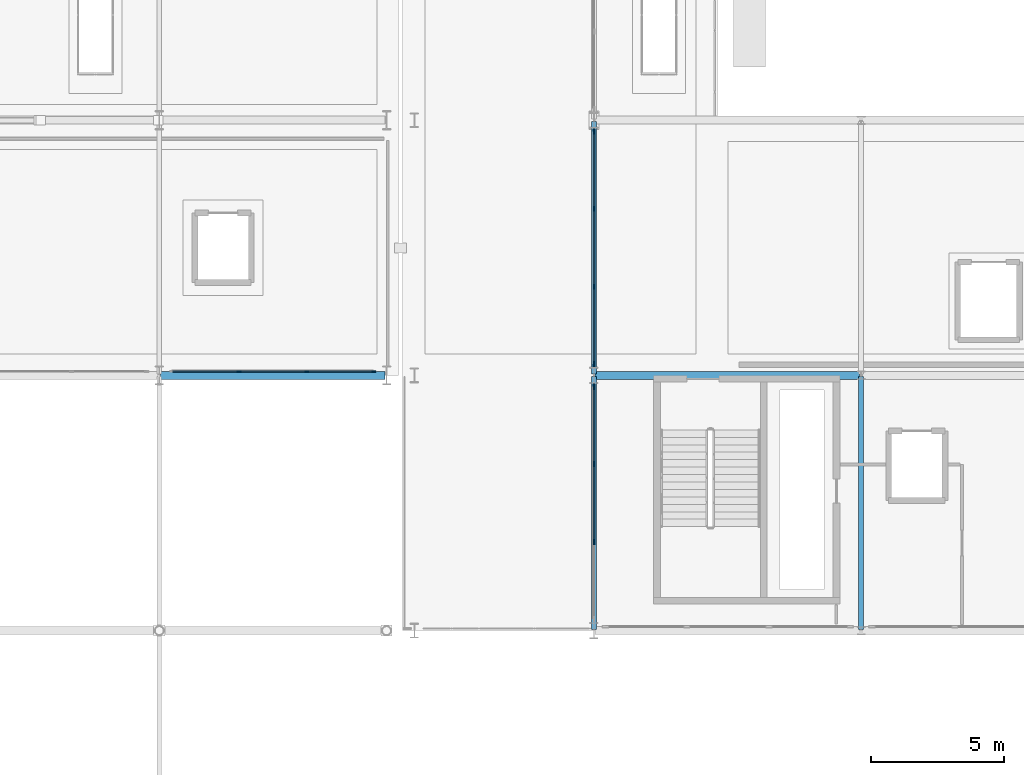
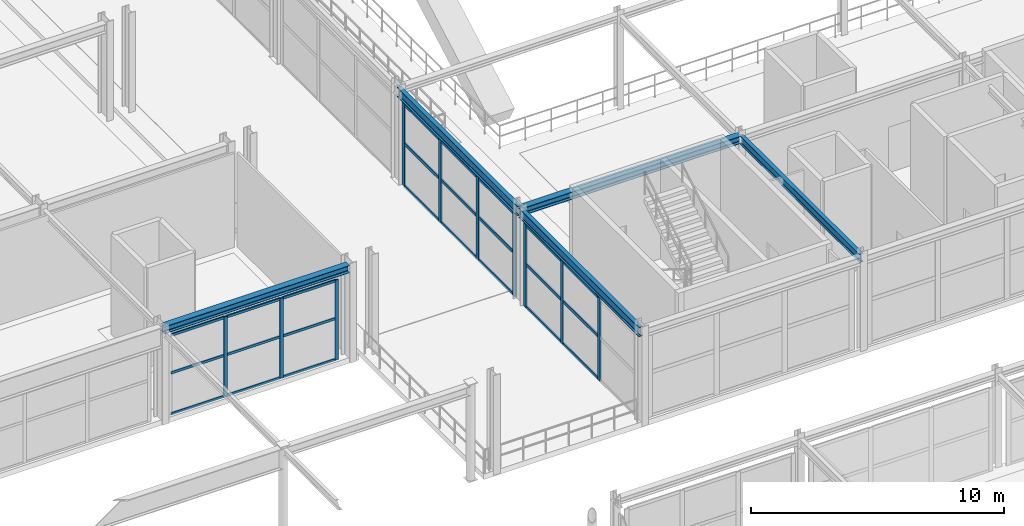
# One storey, part 36 of 125: 34 members, 5 beams, 3 elements without a shape of their own.
"""IFC4 building model written with IfcOpenShell, lengths in metres."""

from ifc_helpers import new_model, si_unit, direction, frame, origin, origin_2d, place, context, subcontext, project, spatial, rectangle, i_section, extrude, material, layer, layer_set, material_profile, profile_set, type_object, element, aggregate, save


model = new_model("IFC4")

# Units and contexts
model_context = context("Model", 3, precision=1e-05, world=origin(), true_north=direction((0.0, 1.0)))
body_context = subcontext(model_context, "Body", "Model", "MODEL_VIEW")
ifc_project = project(units=[si_unit("LENGTHUNIT", "METRE"), si_unit("AREAUNIT", "SQUARE_METRE"), si_unit("VOLUMEUNIT", "CUBIC_METRE"), si_unit("PLANEANGLEUNIT", "RADIAN"), si_unit("MASSUNIT", "GRAM", prefix="KILO")], contexts=[model_context])

# Site, building, storey
site_placement = place(None, origin())
site = spatial("IfcSite", under=ifc_project, at=site_placement, CompositionType="ELEMENT")
building_placement = place(site_placement, origin())
building = spatial("IfcBuilding", under=site, at=building_placement, Name="Myrtia Square Station", CompositionType="ELEMENT")
storey_placement = place(building_placement, frame((0.0, 0.0, 6.0)))
storey = spatial("IfcBuildingStorey", under=building, at=storey_placement, Name="L01", CompositionType="ELEMENT", Elevation=6.0)

# Beams
ifc_material_1 = material(Name="Steel S355", Category="steel")
ifc_material_profile_1 = material_profile(ifc_material_1, i_section(OverallWidth=0.300048828125, OverallDepth=0.35009765625, WebThickness=0.010009765625, FlangeThickness=0.017578125, FilletRadius=0.027099609375, at=origin_2d()), Name="HEA 360")
ifc_profile_set_1 = profile_set([ifc_material_profile_1], Name="Steel S355")
beam_type_1 = type_object("IfcBeamType", Name="BM-HEA360", PredefinedType="BEAM", material=ifc_profile_set_1)
beam_1_placement = place(storey_placement, frame((63.050048828125, 38.39990234375, 4.3798828125), z_axis=(1.0, 0.0, 0.0), x_axis=(0.0, 1.0, 0.0)))
element("IfcBeam", 1, at=beam_1_placement, inside=storey, type_object=beam_type_1, Name="Structural girder BMX-L01-0467", PredefinedType="BEAM", context=body_context, shape_type="SweptSolid", body=[
    extrude(i_section(OverallWidth=0.300048828125, OverallDepth=0.35009765625, WebThickness=0.010009765625, FlangeThickness=0.017578125, FilletRadius=0.027099609375, at=origin_2d()), origin(), (0.0, 0.0, 1.0), 8.449951171875),
])
ifc_material_profile_2 = material_profile(ifc_material_1, i_section(OverallWidth=0.300048828125, OverallDepth=0.360107421875, WebThickness=0.012451171875, FlangeThickness=0.0224609375, FilletRadius=0.027099609375, at=origin_2d()), Name="HEB 360")
ifc_profile_set_2 = profile_set([ifc_material_profile_2], Name="Steel S355")
beam_type_2 = type_object("IfcBeamType", Name="BM-HEB360", PredefinedType="BEAM", material=ifc_profile_set_2)
beam_2_placement = place(storey_placement, frame((79.39990234375, 38.39990234375, 4.3701171875), z_axis=(1.0, 0.0, 0.0), x_axis=(0.0, 1.0, 0.0)))
element("IfcBeam", 2, at=beam_2_placement, inside=storey, type_object=beam_type_2, Name="Structural girder BMX-L01-0537", PredefinedType="BEAM", context=body_context, shape_type="SweptSolid", body=[
    extrude(i_section(OverallWidth=0.300048828125, OverallDepth=0.360107421875, WebThickness=0.012451171875, FlangeThickness=0.0224609375, FilletRadius=0.027099609375, at=origin_2d()), origin(), (0.0, 0.0, 1.0), 9.9501953125),
])
ifc_material_profile_3 = material_profile(ifc_material_1, i_section(OverallWidth=0.179931640625, OverallDepth=0.39990234375, WebThickness=0.008544921875, FlangeThickness=0.013427734375, FilletRadius=0.02099609375, at=origin_2d()), Name="IPE 400")
ifc_profile_set_3 = profile_set([ifc_material_profile_3], Name="Steel S355")
beam_type_3 = type_object("IfcBeamType", Name="BM-IPE400", PredefinedType="BEAM", material=ifc_profile_set_3)
beam_3_placement = place(storey_placement, frame((89.39990234375, 28.85009765625, 4.35009765625), z_axis=(0.0, 1.0, 0.0), x_axis=(-1.0, 0.0, 0.0)))
element("IfcBeam", 3, at=beam_3_placement, inside=storey, type_object=beam_type_3, Name="Structural girder BMY-L01-0559", PredefinedType="BEAM", context=body_context, shape_type="SweptSolid", body=[
    extrude(i_section(OverallWidth=0.179931640625, OverallDepth=0.39990234375, WebThickness=0.008544921875, FlangeThickness=0.013427734375, FilletRadius=0.02099609375, at=origin_2d()), origin(), (0.0, 0.0, 1.0), 9.5),
])
ifc_material_profile_4 = material_profile(ifc_material_1, i_section(OverallWidth=0.18994140625, OverallDepth=0.449951171875, WebThickness=0.009521484375, FlangeThickness=0.0146484375, FilletRadius=0.02099609375, at=origin_2d()), Name="IPE 450")
ifc_profile_set_4 = profile_set([ifc_material_profile_4], Name="Steel S355")
beam_type_4 = type_object("IfcBeamType", Name="BM-IPE450", PredefinedType="BEAM", material=ifc_profile_set_4)
for number, where, z_axis, x_axis, name in (
    (4, (79.35009765625, 28.85009765625, 4.324951171875), (0.0, 1.0, 0.0), (-1.0, 0.0, 0.0), "Structural girder BMY-L01-0552"),
    (5, (79.35009765625, 38.449951171875, 4.324951171875), (0.0, 1.0, 0.0), (-1.0, 0.0, 0.0), "Structural girder BMY-L01-0553"),
):
    element("IfcBeam", number, at=place(storey_placement, frame(where, z_axis=z_axis, x_axis=x_axis)), inside=storey, type_object=beam_type_4, Name=name, PredefinedType="BEAM", context=body_context, shape_type="SweptSolid", body=[
        extrude(i_section(OverallWidth=0.18994140625, OverallDepth=0.449951171875, WebThickness=0.009521484375, FlangeThickness=0.0146484375, FilletRadius=0.02099609375, at=origin_2d()), origin(), (0.0, 0.0, 1.0), 9.5),
    ])

# Curtain wall, members
ifc_material_2 = material(Name="Dark bronze anodised aluminium", Category="aluminium")
ifc_layer_1 = layer(ifc_material_2, 0.159912109375, Name="Dark bronze anodised aluminium")
ifc_layer_set_1 = layer_set([ifc_layer_1], Name="Dark bronze anodised aluminium")
curtain_wall_type_1 = type_object("IfcCurtainWallType", Name="CW-TYPE-20-765x385", PredefinedType="USERDEFINED", material=ifc_layer_set_1)
curtain_wall_1_placement = place(storey_placement, origin())
curtain_wall_1 = element("IfcCurtainWall", 6, at=curtain_wall_1_placement, inside=storey, type_object=curtain_wall_type_1, Name="Concourse curtain wall CW-L01-071", ObjectType="CONCOURSE CURTAIN WALL", PredefinedType="USERDEFINED")
ifc_material_profile_5 = material_profile(ifc_material_2, rectangle(XDim=0.06005859375, YDim=0.159912109375, at=origin_2d()), Name="ALU-M 60x160")
ifc_profile_set_5 = profile_set([ifc_material_profile_5], Name="Dark bronze anodised aluminium")
member_type_1 = type_object("IfcMemberType", Name="CWM-60x160", PredefinedType="MULLION", material=ifc_profile_set_5)
member_1_placement = place(storey_placement, frame((66.0, 38.550048828125, 0.0), z_axis=(0.0, 0.0, 1.0), x_axis=(0.0, 1.0, 0.0)))
member_1 = element("IfcMember", 7, at=member_1_placement, type_object=member_type_1, Name="CW-071 mullion 2", PredefinedType="MULLION", context=body_context, shape_type="SweptSolid", body=[
    extrude(rectangle(XDim=0.06005859375, YDim=0.159912109375, at=origin_2d()), origin(), (0.0, 0.0, 1.0), 3.85009765625),
])
member_2_placement = place(storey_placement, frame((68.550048828125, 38.550048828125, 0.0), z_axis=(0.0, 0.0, 1.0), x_axis=(0.0, 1.0, 0.0)))
member_2 = element("IfcMember", 8, at=member_2_placement, type_object=member_type_1, Name="CW-071 mullion 3", PredefinedType="MULLION", context=body_context, shape_type="SweptSolid", body=[
    extrude(rectangle(XDim=0.06005859375, YDim=0.159912109375, at=origin_2d()), origin(), (0.0, 0.0, 1.0), 3.85009765625),
])
member_3_placement = place(storey_placement, frame((71.070068359375, 38.550048828125, 0.0), z_axis=(0.0, 0.0, 1.0), x_axis=(0.0, 1.0, 0.0)))
member_3 = element("IfcMember", 9, at=member_3_placement, type_object=member_type_1, Name="CW-071 mullion 4", PredefinedType="MULLION", context=body_context, shape_type="SweptSolid", body=[
    extrude(rectangle(XDim=0.06005859375, YDim=0.159912109375, at=origin_2d()), origin(), (0.0, 0.0, 1.0), 3.85009765625),
])

ifc_layer_2 = layer(ifc_material_2, 0.159912109375, Name="Dark bronze anodised aluminium")
ifc_layer_set_2 = layer_set([ifc_layer_2], Name="Dark bronze anodised aluminium")
curtain_wall_type_2 = type_object("IfcCurtainWallType", Name="CW-TYPE-03-880x400", PredefinedType="USERDEFINED", material=ifc_layer_set_2)
curtain_wall_2_placement = place(storey_placement, origin())
curtain_wall_2 = element("IfcCurtainWall", 10, at=curtain_wall_2_placement, inside=storey, type_object=curtain_wall_type_2, Name="Concourse curtain wall CW-L01-005", ObjectType="CONCOURSE CURTAIN WALL", PredefinedType="USERDEFINED")
ifc_material_profile_6 = material_profile(ifc_material_2, rectangle(XDim=0.06494140625, YDim=0.199951171875, at=origin_2d()), Name="ALU-M 65x200")
ifc_profile_set_6 = profile_set([ifc_material_profile_6], Name="Dark bronze anodised aluminium")
member_type_2 = type_object("IfcMemberType", Name="CWM-65x200", PredefinedType="MULLION", material=ifc_profile_set_6)
member_4_placement = place(storey_placement, frame((79.35009765625, 32.13330078125, 0.0), z_axis=(0.0, 0.0, 1.0), x_axis=(-1.0, 0.0, 0.0)))
member_4 = element("IfcMember", 11, at=member_4_placement, type_object=member_type_2, Name="CW-005 mullion 2", PredefinedType="MULLION", context=body_context, shape_type="SweptSolid", body=[
    extrude(rectangle(XDim=0.06494140625, YDim=0.199951171875, at=origin_2d()), origin(), (0.0, 0.0, 1.0), 4.0),
])
member_5_placement = place(storey_placement, frame((79.35009765625, 35.066650390625, 0.0), z_axis=(0.0, 0.0, 1.0), x_axis=(-1.0, 0.0, 0.0)))
member_5 = element("IfcMember", 12, at=member_5_placement, type_object=member_type_2, Name="CW-005 mullion 3", PredefinedType="MULLION", context=body_context, shape_type="SweptSolid", body=[
    extrude(rectangle(XDim=0.06494140625, YDim=0.199951171875, at=origin_2d()), origin(), (0.0, 0.0, 1.0), 4.0),
])
member_6_placement = place(storey_placement, frame((79.35009765625, 37.967529296875, 0.0), z_axis=(0.0, 0.0, 1.0), x_axis=(-1.0, 0.0, 0.0)))
member_6 = element("IfcMember", 13, at=member_6_placement, type_object=member_type_2, Name="CW-005 mullion 4", PredefinedType="MULLION", context=body_context, shape_type="SweptSolid", body=[
    extrude(rectangle(XDim=0.06494140625, YDim=0.199951171875, at=origin_2d()), origin(), (0.0, 0.0, 1.0), 4.0),
])

curtain_wall_3_placement = place(storey_placement, origin())
curtain_wall_3 = element("IfcCurtainWall", 14, at=curtain_wall_3_placement, inside=storey, type_object=curtain_wall_type_2, Name="Concourse curtain wall CW-L01-007", ObjectType="CONCOURSE CURTAIN WALL", PredefinedType="USERDEFINED")
member_7_placement = place(storey_placement, frame((79.35009765625, 38.83251953125, 0.0), z_axis=(0.0, 0.0, 1.0), x_axis=(-1.0, 0.0, 0.0)))
member_7 = element("IfcMember", 15, at=member_7_placement, type_object=member_type_2, Name="CW-007 mullion 1", PredefinedType="MULLION", context=body_context, shape_type="SweptSolid", body=[
    extrude(rectangle(XDim=0.06494140625, YDim=0.199951171875, at=origin_2d()), origin(), (0.0, 0.0, 1.0), 4.0),
])
member_8_placement = place(storey_placement, frame((79.35009765625, 41.7333984375, 0.0), z_axis=(0.0, 0.0, 1.0), x_axis=(-1.0, 0.0, 0.0)))
member_8 = element("IfcMember", 16, at=member_8_placement, type_object=member_type_2, Name="CW-007 mullion 2", PredefinedType="MULLION", context=body_context, shape_type="SweptSolid", body=[
    extrude(rectangle(XDim=0.06494140625, YDim=0.199951171875, at=origin_2d()), origin(), (0.0, 0.0, 1.0), 4.0),
])
member_9_placement = place(storey_placement, frame((79.35009765625, 44.666748046875, 0.0), z_axis=(0.0, 0.0, 1.0), x_axis=(-1.0, 0.0, 0.0)))
member_9 = element("IfcMember", 17, at=member_9_placement, type_object=member_type_2, Name="CW-007 mullion 3", PredefinedType="MULLION", context=body_context, shape_type="SweptSolid", body=[
    extrude(rectangle(XDim=0.06494140625, YDim=0.199951171875, at=origin_2d()), origin(), (0.0, 0.0, 1.0), 4.0),
])
member_10_placement = place(storey_placement, frame((79.35009765625, 47.5673828125, 0.0), z_axis=(0.0, 0.0, 1.0), x_axis=(-1.0, 0.0, 0.0)))
member_10 = element("IfcMember", 18, at=member_10_placement, type_object=member_type_2, Name="CW-007 mullion 4", PredefinedType="MULLION", context=body_context, shape_type="SweptSolid", body=[
    extrude(rectangle(XDim=0.06494140625, YDim=0.199951171875, at=origin_2d()), origin(), (0.0, 0.0, 1.0), 4.0),
])

# Member
ifc_material_profile_7 = material_profile(ifc_material_2, rectangle(XDim=0.06005859375, YDim=0.1201171875, at=origin_2d()), Name="ALU-T 60x120")
ifc_profile_set_7 = profile_set([ifc_material_profile_7], Name="Dark bronze anodised aluminium")
member_type_3 = type_object("IfcMemberType", Name="CWT-60x120", PredefinedType="USERDEFINED", material=ifc_profile_set_7)
member_11_placement = place(storey_placement, frame((63.510009765625, 38.550048828125, 0.030029296875), z_axis=(1.0, 0.0, 0.0), x_axis=(0.0, 1.0, 0.0)))
member_11 = element("IfcMember", 19, at=member_11_placement, type_object=member_type_3, Name="CW-071 transom 1.1", ObjectType="TRANSOM", PredefinedType="USERDEFINED", context=body_context, shape_type="SweptSolid", body=[
    extrude(rectangle(XDim=0.06005859375, YDim=0.1201171875, at=origin_2d()), origin(), (0.0, 0.0, 1.0), 2.4599609375),
])

member_12_placement = place(storey_placement, frame((63.510009765625, 38.550048828125, 2.001953125), z_axis=(1.0, 0.0, 0.0), x_axis=(0.0, 1.0, 0.0)))
member_12 = element("IfcMember", 20, at=member_12_placement, type_object=member_type_3, Name="CW-071 transom 1.2", ObjectType="TRANSOM", PredefinedType="USERDEFINED", context=body_context, shape_type="SweptSolid", body=[
    extrude(rectangle(XDim=0.06005859375, YDim=0.1201171875, at=origin_2d()), origin(), (0.0, 0.0, 1.0), 2.4599609375),
])

member_13_placement = place(storey_placement, frame((63.510009765625, 38.550048828125, 3.820068359375), z_axis=(1.0, 0.0, 0.0), x_axis=(0.0, 1.0, 0.0)))
member_13 = element("IfcMember", 21, at=member_13_placement, type_object=member_type_3, Name="CW-071 transom 1.3", ObjectType="TRANSOM", PredefinedType="USERDEFINED", context=body_context, shape_type="SweptSolid", body=[
    extrude(rectangle(XDim=0.06005859375, YDim=0.1201171875, at=origin_2d()), origin(), (0.0, 0.0, 1.0), 2.4599609375),
])

member_14_placement = place(storey_placement, frame((66.030029296875, 38.550048828125, 0.030029296875), z_axis=(1.0, 0.0, 0.0), x_axis=(0.0, 1.0, 0.0)))
member_14 = element("IfcMember", 22, at=member_14_placement, type_object=member_type_3, Name="CW-071 transom 2.1", ObjectType="TRANSOM", PredefinedType="USERDEFINED", context=body_context, shape_type="SweptSolid", body=[
    extrude(rectangle(XDim=0.06005859375, YDim=0.1201171875, at=origin_2d()), origin(), (0.0, 0.0, 1.0), 2.489990234375),
])

member_15_placement = place(storey_placement, frame((66.030029296875, 38.550048828125, 2.001953125), z_axis=(1.0, 0.0, 0.0), x_axis=(0.0, 1.0, 0.0)))
member_15 = element("IfcMember", 23, at=member_15_placement, type_object=member_type_3, Name="CW-071 transom 2.2", ObjectType="TRANSOM", PredefinedType="USERDEFINED", context=body_context, shape_type="SweptSolid", body=[
    extrude(rectangle(XDim=0.06005859375, YDim=0.1201171875, at=origin_2d()), origin(), (0.0, 0.0, 1.0), 2.489990234375),
])

member_16_placement = place(storey_placement, frame((66.030029296875, 38.550048828125, 3.820068359375), z_axis=(1.0, 0.0, 0.0), x_axis=(0.0, 1.0, 0.0)))
member_16 = element("IfcMember", 24, at=member_16_placement, type_object=member_type_3, Name="CW-071 transom 2.3", ObjectType="TRANSOM", PredefinedType="USERDEFINED", context=body_context, shape_type="SweptSolid", body=[
    extrude(rectangle(XDim=0.06005859375, YDim=0.1201171875, at=origin_2d()), origin(), (0.0, 0.0, 1.0), 2.489990234375),
])

member_17_placement = place(storey_placement, frame((68.580078125, 38.550048828125, 0.030029296875), z_axis=(1.0, 0.0, 0.0), x_axis=(0.0, 1.0, 0.0)))
member_17 = element("IfcMember", 25, at=member_17_placement, type_object=member_type_3, Name="CW-071 transom 3.1", ObjectType="TRANSOM", PredefinedType="USERDEFINED", context=body_context, shape_type="SweptSolid", body=[
    extrude(rectangle(XDim=0.06005859375, YDim=0.1201171875, at=origin_2d()), origin(), (0.0, 0.0, 1.0), 2.4599609375),
])

member_18_placement = place(storey_placement, frame((68.580078125, 38.550048828125, 2.001953125), z_axis=(1.0, 0.0, 0.0), x_axis=(0.0, 1.0, 0.0)))
member_18 = element("IfcMember", 26, at=member_18_placement, type_object=member_type_3, Name="CW-071 transom 3.2", ObjectType="TRANSOM", PredefinedType="USERDEFINED", context=body_context, shape_type="SweptSolid", body=[
    extrude(rectangle(XDim=0.06005859375, YDim=0.1201171875, at=origin_2d()), origin(), (0.0, 0.0, 1.0), 2.4599609375),
])

member_19_placement = place(storey_placement, frame((68.580078125, 38.550048828125, 3.820068359375), z_axis=(1.0, 0.0, 0.0), x_axis=(0.0, 1.0, 0.0)))
member_19 = element("IfcMember", 27, at=member_19_placement, type_object=member_type_3, Name="CW-071 transom 3.3", ObjectType="TRANSOM", PredefinedType="USERDEFINED", context=body_context, shape_type="SweptSolid", body=[
    extrude(rectangle(XDim=0.06005859375, YDim=0.1201171875, at=origin_2d()), origin(), (0.0, 0.0, 1.0), 2.4599609375),
])

aggregate(curtain_wall_1, [member_1, member_2, member_3, member_11, member_12, member_13, member_14, member_15, member_16, member_17, member_18, member_19])

ifc_material_profile_8 = material_profile(ifc_material_2, rectangle(XDim=0.06494140625, YDim=0.14990234375, at=origin_2d()), Name="ALU-T 65x150")
ifc_profile_set_8 = profile_set([ifc_material_profile_8], Name="Dark bronze anodised aluminium")
member_type_4 = type_object("IfcMemberType", Name="CWT-65x150", PredefinedType="USERDEFINED", material=ifc_profile_set_8)
member_20_placement = place(storey_placement, frame((79.35009765625, 32.165771484375, 0.032470703125), z_axis=(0.0, 1.0, 0.0), x_axis=(-1.0, 0.0, 0.0)))
member_20 = element("IfcMember", 28, at=member_20_placement, type_object=member_type_4, Name="CW-005 transom 2.1", ObjectType="TRANSOM", PredefinedType="USERDEFINED", context=body_context, shape_type="SweptSolid", body=[
    extrude(rectangle(XDim=0.06494140625, YDim=0.14990234375, at=origin_2d()), origin(), (0.0, 0.0, 1.0), 2.868408203125),
])

member_21_placement = place(storey_placement, frame((79.35009765625, 32.165771484375, 2.080078125), z_axis=(0.0, 1.0, 0.0), x_axis=(-1.0, 0.0, 0.0)))
member_21 = element("IfcMember", 29, at=member_21_placement, type_object=member_type_4, Name="CW-005 transom 2.2", ObjectType="TRANSOM", PredefinedType="USERDEFINED", context=body_context, shape_type="SweptSolid", body=[
    extrude(rectangle(XDim=0.06494140625, YDim=0.14990234375, at=origin_2d()), origin(), (0.0, 0.0, 1.0), 2.868408203125),
])

member_22_placement = place(storey_placement, frame((79.35009765625, 32.165771484375, 3.967529296875), z_axis=(0.0, 1.0, 0.0), x_axis=(-1.0, 0.0, 0.0)))
member_22 = element("IfcMember", 30, at=member_22_placement, type_object=member_type_4, Name="CW-005 transom 2.3", ObjectType="TRANSOM", PredefinedType="USERDEFINED", context=body_context, shape_type="SweptSolid", body=[
    extrude(rectangle(XDim=0.06494140625, YDim=0.14990234375, at=origin_2d()), origin(), (0.0, 0.0, 1.0), 2.868408203125),
])

member_23_placement = place(storey_placement, frame((79.35009765625, 35.09912109375, 0.032470703125), z_axis=(0.0, 1.0, 0.0), x_axis=(-1.0, 0.0, 0.0)))
member_23 = element("IfcMember", 31, at=member_23_placement, type_object=member_type_4, Name="CW-005 transom 3.1", ObjectType="TRANSOM", PredefinedType="USERDEFINED", context=body_context, shape_type="SweptSolid", body=[
    extrude(rectangle(XDim=0.06494140625, YDim=0.14990234375, at=origin_2d()), origin(), (0.0, 0.0, 1.0), 2.8359375),
])

member_24_placement = place(storey_placement, frame((79.35009765625, 35.09912109375, 2.080078125), z_axis=(0.0, 1.0, 0.0), x_axis=(-1.0, 0.0, 0.0)))
member_24 = element("IfcMember", 32, at=member_24_placement, type_object=member_type_4, Name="CW-005 transom 3.2", ObjectType="TRANSOM", PredefinedType="USERDEFINED", context=body_context, shape_type="SweptSolid", body=[
    extrude(rectangle(XDim=0.06494140625, YDim=0.14990234375, at=origin_2d()), origin(), (0.0, 0.0, 1.0), 2.8359375),
])

member_25_placement = place(storey_placement, frame((79.35009765625, 35.09912109375, 3.967529296875), z_axis=(0.0, 1.0, 0.0), x_axis=(-1.0, 0.0, 0.0)))
member_25 = element("IfcMember", 33, at=member_25_placement, type_object=member_type_4, Name="CW-005 transom 3.3", ObjectType="TRANSOM", PredefinedType="USERDEFINED", context=body_context, shape_type="SweptSolid", body=[
    extrude(rectangle(XDim=0.06494140625, YDim=0.14990234375, at=origin_2d()), origin(), (0.0, 0.0, 1.0), 2.8359375),
])

aggregate(curtain_wall_2, [member_4, member_5, member_6, member_20, member_21, member_22, member_23, member_24, member_25])

member_26_placement = place(storey_placement, frame((79.35009765625, 38.864990234375, 0.032470703125), z_axis=(0.0, 1.0, 0.0), x_axis=(-1.0, 0.0, 0.0)))
member_26 = element("IfcMember", 34, at=member_26_placement, type_object=member_type_4, Name="CW-007 transom 1.1", ObjectType="TRANSOM", PredefinedType="USERDEFINED", context=body_context, shape_type="SweptSolid", body=[
    extrude(rectangle(XDim=0.06494140625, YDim=0.14990234375, at=origin_2d()), origin(), (0.0, 0.0, 1.0), 2.8359375),
])

member_27_placement = place(storey_placement, frame((79.35009765625, 38.864990234375, 2.080078125), z_axis=(0.0, 1.0, 0.0), x_axis=(-1.0, 0.0, 0.0)))
member_27 = element("IfcMember", 35, at=member_27_placement, type_object=member_type_4, Name="CW-007 transom 1.2", ObjectType="TRANSOM", PredefinedType="USERDEFINED", context=body_context, shape_type="SweptSolid", body=[
    extrude(rectangle(XDim=0.06494140625, YDim=0.14990234375, at=origin_2d()), origin(), (0.0, 0.0, 1.0), 2.8359375),
])

member_28_placement = place(storey_placement, frame((79.35009765625, 38.864990234375, 3.967529296875), z_axis=(0.0, 1.0, 0.0), x_axis=(-1.0, 0.0, 0.0)))
member_28 = element("IfcMember", 36, at=member_28_placement, type_object=member_type_4, Name="CW-007 transom 1.3", ObjectType="TRANSOM", PredefinedType="USERDEFINED", context=body_context, shape_type="SweptSolid", body=[
    extrude(rectangle(XDim=0.06494140625, YDim=0.14990234375, at=origin_2d()), origin(), (0.0, 0.0, 1.0), 2.8359375),
])

member_29_placement = place(storey_placement, frame((79.35009765625, 41.765869140625, 0.032470703125), z_axis=(0.0, 1.0, 0.0), x_axis=(-1.0, 0.0, 0.0)))
member_29 = element("IfcMember", 37, at=member_29_placement, type_object=member_type_4, Name="CW-007 transom 2.1", ObjectType="TRANSOM", PredefinedType="USERDEFINED", context=body_context, shape_type="SweptSolid", body=[
    extrude(rectangle(XDim=0.06494140625, YDim=0.14990234375, at=origin_2d()), origin(), (0.0, 0.0, 1.0), 2.868408203125),
])

member_30_placement = place(storey_placement, frame((79.35009765625, 41.765869140625, 2.080078125), z_axis=(0.0, 1.0, 0.0), x_axis=(-1.0, 0.0, 0.0)))
member_30 = element("IfcMember", 38, at=member_30_placement, type_object=member_type_4, Name="CW-007 transom 2.2", ObjectType="TRANSOM", PredefinedType="USERDEFINED", context=body_context, shape_type="SweptSolid", body=[
    extrude(rectangle(XDim=0.06494140625, YDim=0.14990234375, at=origin_2d()), origin(), (0.0, 0.0, 1.0), 2.868408203125),
])

member_31_placement = place(storey_placement, frame((79.35009765625, 41.765869140625, 3.967529296875), z_axis=(0.0, 1.0, 0.0), x_axis=(-1.0, 0.0, 0.0)))
member_31 = element("IfcMember", 39, at=member_31_placement, type_object=member_type_4, Name="CW-007 transom 2.3", ObjectType="TRANSOM", PredefinedType="USERDEFINED", context=body_context, shape_type="SweptSolid", body=[
    extrude(rectangle(XDim=0.06494140625, YDim=0.14990234375, at=origin_2d()), origin(), (0.0, 0.0, 1.0), 2.868408203125),
])

member_32_placement = place(storey_placement, frame((79.35009765625, 44.69921875, 0.032470703125), z_axis=(0.0, 1.0, 0.0), x_axis=(-1.0, 0.0, 0.0)))
member_32 = element("IfcMember", 40, at=member_32_placement, type_object=member_type_4, Name="CW-007 transom 3.1", ObjectType="TRANSOM", PredefinedType="USERDEFINED", context=body_context, shape_type="SweptSolid", body=[
    extrude(rectangle(XDim=0.06494140625, YDim=0.14990234375, at=origin_2d()), origin(), (0.0, 0.0, 1.0), 2.835693359375),
])

member_33_placement = place(storey_placement, frame((79.35009765625, 44.69921875, 2.080078125), z_axis=(0.0, 1.0, 0.0), x_axis=(-1.0, 0.0, 0.0)))
member_33 = element("IfcMember", 41, at=member_33_placement, type_object=member_type_4, Name="CW-007 transom 3.2", ObjectType="TRANSOM", PredefinedType="USERDEFINED", context=body_context, shape_type="SweptSolid", body=[
    extrude(rectangle(XDim=0.06494140625, YDim=0.14990234375, at=origin_2d()), origin(), (0.0, 0.0, 1.0), 2.835693359375),
])

member_34_placement = place(storey_placement, frame((79.35009765625, 44.69921875, 3.967529296875), z_axis=(0.0, 1.0, 0.0), x_axis=(-1.0, 0.0, 0.0)))
member_34 = element("IfcMember", 42, at=member_34_placement, type_object=member_type_4, Name="CW-007 transom 3.3", ObjectType="TRANSOM", PredefinedType="USERDEFINED", context=body_context, shape_type="SweptSolid", body=[
    extrude(rectangle(XDim=0.06494140625, YDim=0.14990234375, at=origin_2d()), origin(), (0.0, 0.0, 1.0), 2.835693359375),
])

aggregate(curtain_wall_3, [member_7, member_8, member_9, member_10, member_26, member_27, member_28, member_29, member_30, member_31, member_32, member_33, member_34])

save(model, "model.ifc")
